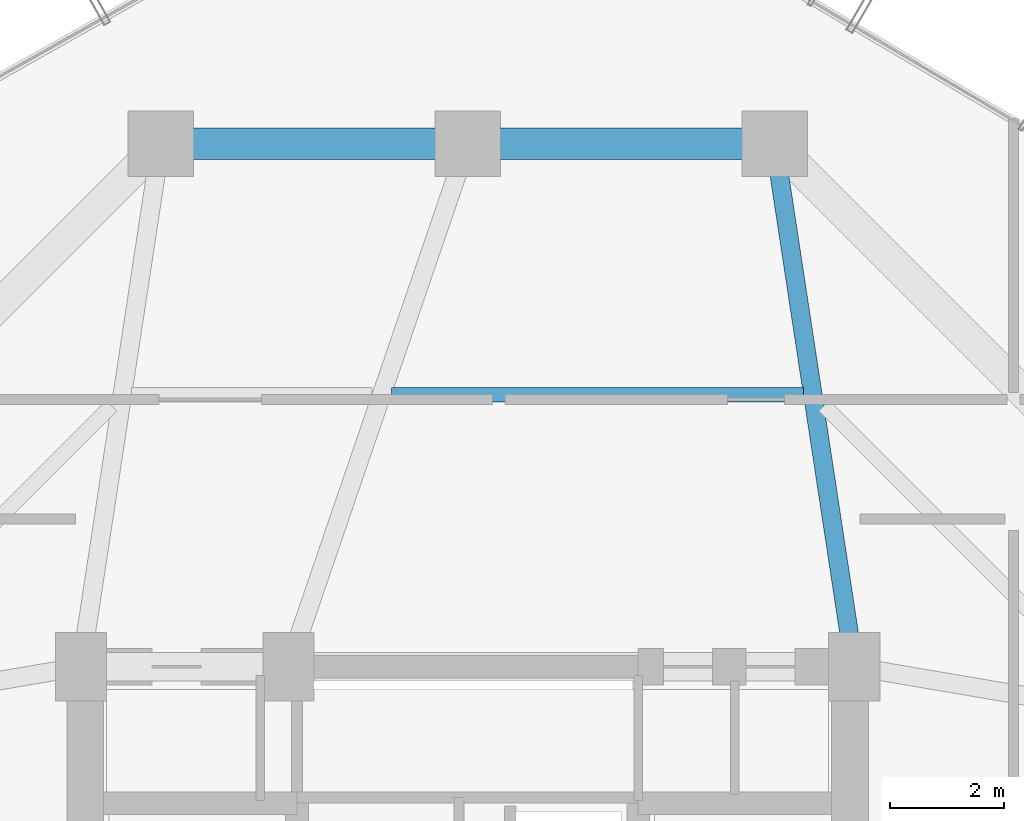
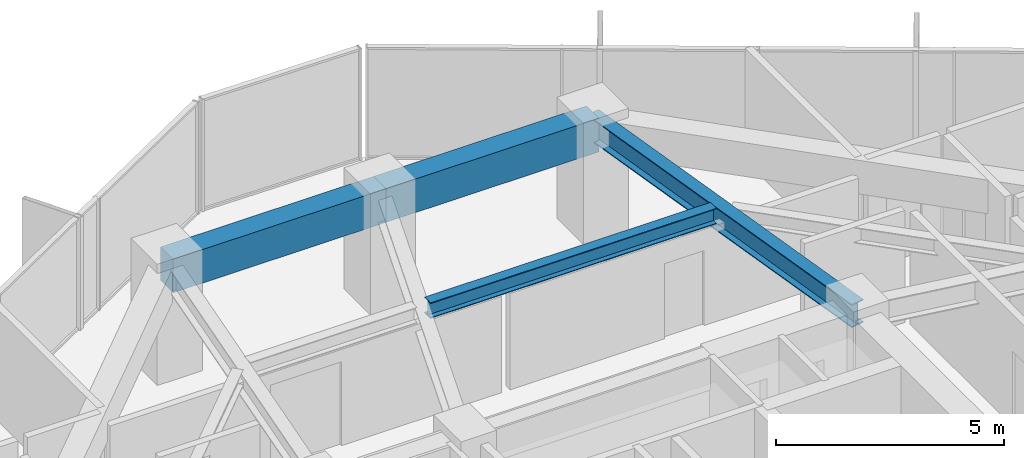
# One storey, part 20 of 30: 4 beams.
"""IFC4 building model written with IfcOpenShell, lengths in metres."""

from ifc_helpers import new_model, si_unit, direction, frame, origin, origin_2d, place, context, subcontext, project, spatial, rectangle, i_section, extrude, material, material_profile, profile_set, type_object, element, save


model = new_model("IFC4")

# Units and contexts
model_context = context("Model", 3, precision=1e-05, world=origin(), true_north=direction((0.0, 1.0)))
body_context = subcontext(model_context, "Body", "Model", "MODEL_VIEW")
ifc_project = project(units=[si_unit("LENGTHUNIT", "METRE"), si_unit("AREAUNIT", "SQUARE_METRE"), si_unit("VOLUMEUNIT", "CUBIC_METRE"), si_unit("PLANEANGLEUNIT", "RADIAN"), si_unit("MASSUNIT", "GRAM", prefix="KILO")], contexts=[model_context])

# Site, building, storey
site_placement = place(None, origin())
site = spatial("IfcSite", under=ifc_project, at=site_placement, CompositionType="ELEMENT")
building_placement = place(site_placement, origin())
building = spatial("IfcBuilding", under=site, at=building_placement, Name="Veraguas Prism Commons", CompositionType="ELEMENT")
storey_placement = place(building_placement, frame((0.0, 0.0, 126.25)))
storey = spatial("IfcBuildingStorey", under=building, at=storey_placement, Name="L35", CompositionType="ELEMENT", Elevation=126.25)

# Beams
ifc_material_1 = material(Name="Steel ASTM A992 Grade 50", Category="steel")
ifc_material_profile_1 = material_profile(ifc_material_1, i_section(OverallWidth=0.260986328125, OverallDepth=0.419921875, WebThickness=0.01171875, FlangeThickness=0.019287109375, at=origin_2d()), Name="W410X114")
ifc_profile_set_1 = profile_set([ifc_material_profile_1], Name="Steel ASTM A992 Grade 50")
beam_type_1 = type_object("IfcBeamType", Name="Lower Floor Joist W410x114", PredefinedType="JOIST", material=ifc_profile_set_1)
beam_1_placement = place(storey_placement, frame((29.908203125, 35.783935546875, 2.7900390625), z_axis=(-1.0, 0.0, 0.0), x_axis=(0.0, -1.0, 0.0)))
element("IfcBeam", 1, at=beam_1_placement, inside=storey, type_object=beam_type_1, Name="Composite Floor Joist L35-JS04", PredefinedType="JOIST", context=body_context, shape_type="SweptSolid", body=[
    extrude(i_section(OverallWidth=0.260986328125, OverallDepth=0.419921875, WebThickness=0.01171875, FlangeThickness=0.019287109375, at=origin_2d()), origin(), (0.0, 0.0, 1.0), 7.2490234375),
])
ifc_material_2 = material(Name="Concrete C50/60", Category="concrete")
ifc_material_profile_2 = material_profile(ifc_material_2, rectangle(XDim=0.550048828125, YDim=0.89990234375, at=origin_2d()), Name="RC550X900")
ifc_profile_set_2 = profile_set([ifc_material_profile_2], Name="Concrete C50/60")
beam_type_2 = type_object("IfcBeamType", Name="Perimeter Spandrel Lower RC 550x900", PredefinedType="SPANDREL", material=ifc_profile_set_2)
for number, where, z_axis, x_axis, name in (
    (2, (29.39990234375, 40.199951171875, 2.550048828125), (-1.0, 0.0, 0.0), (0.0, -1.0, 0.0), "Perimeter Spandrel Beam L35-SP04"),
    (3, (24.0, 40.199951171875, 2.550048828125), (-1.0, 0.0, 0.0), (0.0, -1.0, 0.0), "Perimeter Spandrel Beam L35-SP05"),
):
    element("IfcBeam", number, at=place(storey_placement, frame(where, z_axis=z_axis, x_axis=x_axis)), inside=storey, type_object=beam_type_2, Name=name, PredefinedType="SPANDREL", context=body_context, shape_type="SweptSolid", body=[
        extrude(rectangle(XDim=0.550048828125, YDim=0.89990234375, at=origin_2d()), origin(), (0.0, 0.0, 1.0), 5.39990234375),
    ])
ifc_material_profile_3 = material_profile(ifc_material_1, i_section(OverallWidth=0.327880859375, OverallDepth=0.6220703125, WebThickness=0.015380859375, FlangeThickness=0.0244140625, at=origin_2d()), Name="W610X195")
ifc_profile_set_3 = profile_set([ifc_material_profile_3], Name="Steel ASTM A992 Grade 50")
beam_type_3 = type_object("IfcBeamType", Name="Zone 2 Radial Girder W610x195", PredefinedType="BEAM", material=ifc_profile_set_3)
beam_2_placement = place(storey_placement, frame((29.39990234375, 40.199951171875, 2.68896484375), z_axis=(0.150458162136, -0.98861637729, 0.0), x_axis=(0.98861637729, 0.150458162136, 0.0)))
element("IfcBeam", 4, at=beam_2_placement, inside=storey, type_object=beam_type_3, Name="Radial Floor Girder L35-RD04", PredefinedType="BEAM", context=body_context, shape_type="SweptSolid", body=[
    extrude(i_section(OverallWidth=0.327880859375, OverallDepth=0.6220703125, WebThickness=0.015380859375, FlangeThickness=0.0244140625, at=origin_2d()), origin(), (0.0, 0.0, 1.0), 9.305908203125),
])

save(model, "model.ifc")
